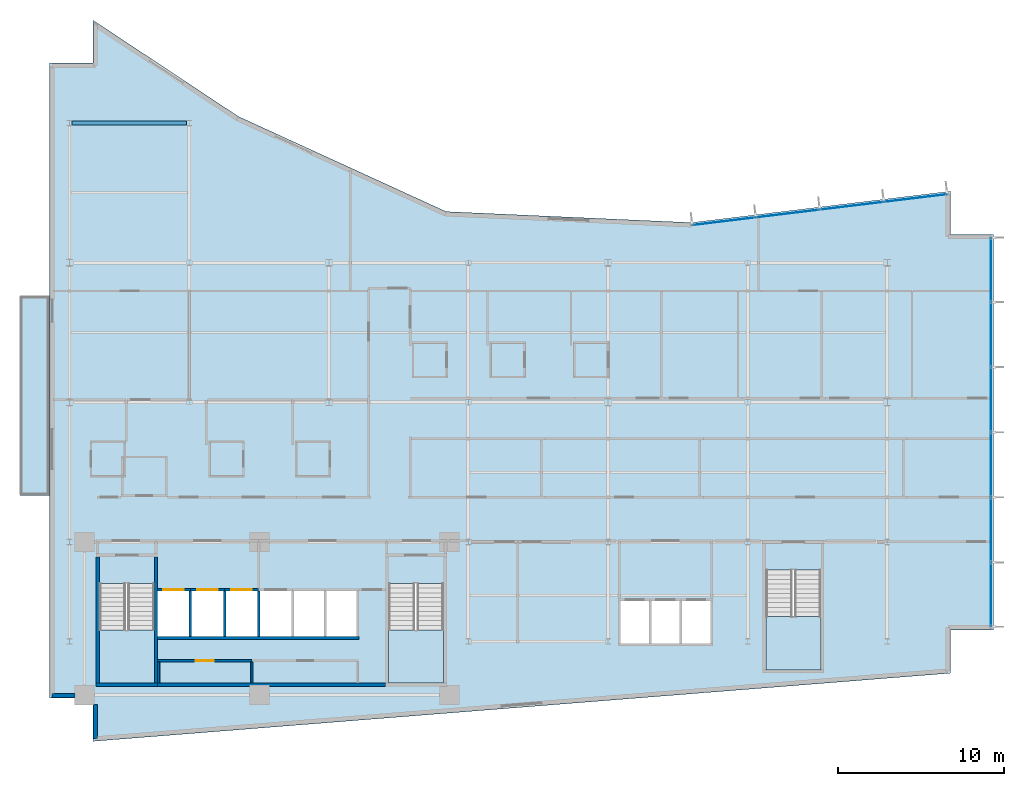
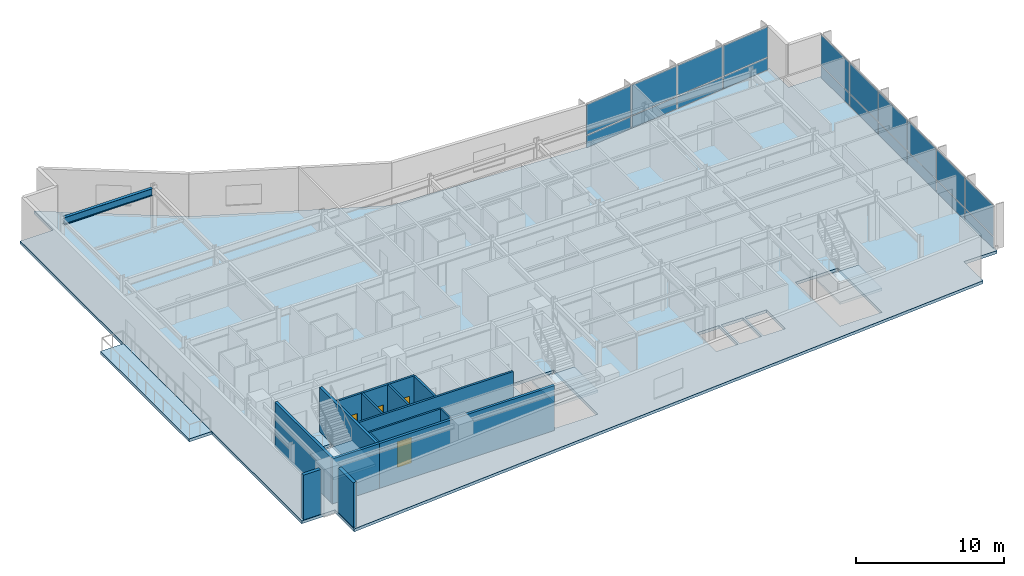
# One storey, part 9 of 18: 20 plates, 16 walls, 5 slabs, 4 doors, 1 beam, 4 openings, 5 elements without a shape of their own.
"""IFC4 building model written with IfcOpenShell, lengths in metres."""

from ifc_helpers import new_model, si_unit, direction, frame, frame_2d, origin, origin_2d, place, context, subcontext, project, spatial, polyline, rectangle, i_section, outline, extrude, material, layer, layer_set, material_profile, profile_set, type_object, element, fill, aggregate, save


model = new_model("IFC4")

# Units and contexts
model_context = context("Model", 3, precision=1e-05, world=origin(), true_north=direction((0.0, 1.0)))
body_context = subcontext(model_context, "Body", "Model", "MODEL_VIEW")
ifc_project = project(units=[si_unit("LENGTHUNIT", "METRE"), si_unit("AREAUNIT", "SQUARE_METRE"), si_unit("VOLUMEUNIT", "CUBIC_METRE"), si_unit("PLANEANGLEUNIT", "RADIAN"), si_unit("MASSUNIT", "GRAM", prefix="KILO")], contexts=[model_context])

# Site, building, storey
site_placement = place(None, origin())
site = spatial("IfcSite", under=ifc_project, at=site_placement, CompositionType="ELEMENT")
building_placement = place(site_placement, origin())
building = spatial("IfcBuilding", under=site, at=building_placement, Name="Varnakote Quay Hospital", CompositionType="ELEMENT")
storey_placement = place(building_placement, frame((0.0, 0.0, 119.14990234375)))
storey = spatial("IfcBuildingStorey", under=building, at=storey_placement, Name="L29", CompositionType="ELEMENT", Elevation=119.14990234375)

# Beam
ifc_material_1 = material(Name="Structural steel AS/NZS 3679.1 Grade 350 L0 (fy 340 MPa)", Category="steel")
ifc_material_profile = material_profile(ifc_material_1, i_section(OverallWidth=0.22802734375, OverallDepth=0.60205078125, WebThickness=0.010498046875, FlangeThickness=0.014892578125, FilletRadius=0.013916015625, at=origin_2d()), Name="610UB101")
ifc_profile_set = profile_set([ifc_material_profile], Name="Structural steel AS/NZS 3679.1 Grade 350 L0 (fy 340 MPa)")
beam_type = type_object("IfcBeamType", Name="BM-STL-610UB101", PredefinedType="BEAM", material=ifc_profile_set)
beam_placement = place(storey_placement, frame((1.3544921875, 37.199951171875, 3.4091796875), z_axis=(1.0, 0.0, 0.0), x_axis=(0.0, 1.0, 0.0)))
element("IfcBeam", 1, at=beam_placement, inside=storey, type_object=beam_type, Name="L29 Primary Floor Beam", PredefinedType="BEAM", context=body_context, shape_type="SweptSolid", body=[
    extrude(i_section(OverallWidth=0.22802734375, OverallDepth=0.60205078125, WebThickness=0.010498046875, FlangeThickness=0.014892578125, FilletRadius=0.013916015625, at=origin_2d()), origin(), (0.0, 0.0, 1.0), 6.89111328125),
])

# Curtain wall, plates
ifc_material_2 = material(Name="Anodised aluminium 6063-T6 Bronze", Category="aluminium")
ifc_layer_1 = layer(ifc_material_2, 0.205078125)
ifc_layer_set_1 = layer_set([ifc_layer_1], Name="Anodised aluminium 6063-T6 Bronze")
curtain_wall_type = type_object("IfcCurtainWallType", Name="CW-SYS-3", PredefinedType="NOTDEFINED", material=ifc_layer_set_1)
curtain_wall_1_placement = place(storey_placement, origin())
curtain_wall_1 = element("IfcCurtainWall", 2, at=curtain_wall_1_placement, inside=storey, type_object=curtain_wall_type, Name="L29 Unitised Bronze Curtain Wall 1", PredefinedType="NOTDEFINED")
ifc_material_3 = material(Name="Double-glazed low-E solar glass", Category="glass")
ifc_layer_2 = layer(ifc_material_3, 0.028076171875)
ifc_layer_set_2 = layer_set([ifc_layer_2], Name="Double-glazed low-E solar glass")
plate_type = type_object("IfcPlateType", Name="CW-PNL-GLZ-28", PredefinedType="CURTAIN_PANEL", material=ifc_layer_set_2)
plate_1_placement = place(storey_placement, frame((56.639892578125, 8.83544921875, 0.0751953125), z_axis=(0.0, 0.0, 1.0), x_axis=(0.0, 1.0, 0.0)))
plate_1 = element("IfcPlate", 3, at=plate_1_placement, type_object=plate_type, Name="-3-L29-1 panel 1.1", PredefinedType="CURTAIN_PANEL", context=body_context, shape_type="SweptSolid", body=[
    extrude(rectangle(XDim=3.80078125, YDim=0.028076171875, at=origin_2d()), origin(), (0.0, 0.0, 1.0), 0.987548828125),
])
plate_2_placement = place(storey_placement, frame((56.639892578125, 8.83544921875, 1.137451171875), z_axis=(0.0, 0.0, 1.0), x_axis=(0.0, 1.0, 0.0)))
plate_2 = element("IfcPlate", 4, at=plate_2_placement, type_object=plate_type, Name="-3-L29-1 panel 1.2", PredefinedType="CURTAIN_PANEL", context=body_context, shape_type="SweptSolid", body=[
    extrude(rectangle(XDim=3.80078125, YDim=0.028076171875, at=origin_2d()), origin(), (0.0, 0.0, 1.0), 2.49755859375),
])
plate_3_placement = place(storey_placement, frame((56.639892578125, 12.72998046875, 0.0751953125), z_axis=(0.0, 0.0, 1.0), x_axis=(0.0, 1.0, 0.0)))
plate_3 = element("IfcPlate", 5, at=plate_3_placement, type_object=plate_type, Name="-3-L29-1 panel 2.1", PredefinedType="CURTAIN_PANEL", context=body_context, shape_type="SweptSolid", body=[
    extrude(rectangle(XDim=3.83837890625, YDim=0.028076171875, at=origin_2d()), origin(), (0.0, 0.0, 1.0), 0.987548828125),
])
plate_4_placement = place(storey_placement, frame((56.639892578125, 12.72998046875, 1.137451171875), z_axis=(0.0, 0.0, 1.0), x_axis=(0.0, 1.0, 0.0)))
plate_4 = element("IfcPlate", 6, at=plate_4_placement, type_object=plate_type, Name="-3-L29-1 panel 2.2", PredefinedType="CURTAIN_PANEL", context=body_context, shape_type="SweptSolid", body=[
    extrude(rectangle(XDim=3.83837890625, YDim=0.028076171875, at=origin_2d()), origin(), (0.0, 0.0, 1.0), 2.49755859375),
])
plate_5_placement = place(storey_placement, frame((56.639892578125, 16.643310546875, 0.0751953125), z_axis=(0.0, 0.0, 1.0), x_axis=(0.0, 1.0, 0.0)))
plate_5 = element("IfcPlate", 7, at=plate_5_placement, type_object=plate_type, Name="-3-L29-1 panel 3.1", PredefinedType="CURTAIN_PANEL", context=body_context, shape_type="SweptSolid", body=[
    extrude(rectangle(XDim=3.83837890625, YDim=0.028076171875, at=origin_2d()), origin(), (0.0, 0.0, 1.0), 0.987548828125),
])
plate_6_placement = place(storey_placement, frame((56.639892578125, 16.643310546875, 1.137451171875), z_axis=(0.0, 0.0, 1.0), x_axis=(0.0, 1.0, 0.0)))
plate_6 = element("IfcPlate", 8, at=plate_6_placement, type_object=plate_type, Name="-3-L29-1 panel 3.2", PredefinedType="CURTAIN_PANEL", context=body_context, shape_type="SweptSolid", body=[
    extrude(rectangle(XDim=3.83837890625, YDim=0.028076171875, at=origin_2d()), origin(), (0.0, 0.0, 1.0), 2.49755859375),
])
plate_7_placement = place(storey_placement, frame((56.639892578125, 20.556640625, 0.0751953125), z_axis=(0.0, 0.0, 1.0), x_axis=(0.0, 1.0, 0.0)))
plate_7 = element("IfcPlate", 9, at=plate_7_placement, type_object=plate_type, Name="-3-L29-1 panel 4.1", PredefinedType="CURTAIN_PANEL", context=body_context, shape_type="SweptSolid", body=[
    extrude(rectangle(XDim=3.83837890625, YDim=0.028076171875, at=origin_2d()), origin(), (0.0, 0.0, 1.0), 0.987548828125),
])
plate_8_placement = place(storey_placement, frame((56.639892578125, 20.556640625, 1.137451171875), z_axis=(0.0, 0.0, 1.0), x_axis=(0.0, 1.0, 0.0)))
plate_8 = element("IfcPlate", 10, at=plate_8_placement, type_object=plate_type, Name="-3-L29-1 panel 4.2", PredefinedType="CURTAIN_PANEL", context=body_context, shape_type="SweptSolid", body=[
    extrude(rectangle(XDim=3.83837890625, YDim=0.028076171875, at=origin_2d()), origin(), (0.0, 0.0, 1.0), 2.49755859375),
])
plate_9_placement = place(storey_placement, frame((56.639892578125, 24.469970703125, 0.0751953125), z_axis=(0.0, 0.0, 1.0), x_axis=(0.0, 1.0, 0.0)))
plate_9 = element("IfcPlate", 11, at=plate_9_placement, type_object=plate_type, Name="-3-L29-1 panel 5.1", PredefinedType="CURTAIN_PANEL", context=body_context, shape_type="SweptSolid", body=[
    extrude(rectangle(XDim=3.83837890625, YDim=0.028076171875, at=origin_2d()), origin(), (0.0, 0.0, 1.0), 0.987548828125),
])
plate_10_placement = place(storey_placement, frame((56.639892578125, 24.469970703125, 1.137451171875), z_axis=(0.0, 0.0, 1.0), x_axis=(0.0, 1.0, 0.0)))
plate_10 = element("IfcPlate", 12, at=plate_10_placement, type_object=plate_type, Name="-3-L29-1 panel 5.2", PredefinedType="CURTAIN_PANEL", context=body_context, shape_type="SweptSolid", body=[
    extrude(rectangle(XDim=3.83837890625, YDim=0.028076171875, at=origin_2d()), origin(), (0.0, 0.0, 1.0), 2.49755859375),
])
plate_11_placement = place(storey_placement, frame((56.639892578125, 28.364501953125, 0.0751953125), z_axis=(0.0, 0.0, 1.0), x_axis=(0.0, 1.0, 0.0)))
plate_11 = element("IfcPlate", 13, at=plate_11_placement, type_object=plate_type, Name="-3-L29-1 panel 6.1", PredefinedType="CURTAIN_PANEL", context=body_context, shape_type="SweptSolid", body=[
    extrude(rectangle(XDim=3.80078125, YDim=0.028076171875, at=origin_2d()), origin(), (0.0, 0.0, 1.0), 0.987548828125),
])
plate_12_placement = place(storey_placement, frame((56.639892578125, 28.364501953125, 1.137451171875), z_axis=(0.0, 0.0, 1.0), x_axis=(0.0, 1.0, 0.0)))
plate_12 = element("IfcPlate", 14, at=plate_12_placement, type_object=plate_type, Name="-3-L29-1 panel 6.2", PredefinedType="CURTAIN_PANEL", context=body_context, shape_type="SweptSolid", body=[
    extrude(rectangle(XDim=3.80078125, YDim=0.028076171875, at=origin_2d()), origin(), (0.0, 0.0, 1.0), 2.49755859375),
])
aggregate(curtain_wall_1, [plate_1, plate_2, plate_3, plate_4, plate_5, plate_6, plate_7, plate_8, plate_9, plate_10, plate_11, plate_12])

curtain_wall_2_placement = place(storey_placement, origin())
curtain_wall_2 = element("IfcCurtainWall", 15, at=curtain_wall_2_placement, inside=storey, type_object=curtain_wall_type, Name="L29 Unitised Bronze Curtain Wall 2", PredefinedType="NOTDEFINED")
plate_13_placement = place(storey_placement, frame((52.09521484375, 32.68359375, 0.0751953125), z_axis=(0.0, 0.0, 1.0), x_axis=(-0.992734295067, -0.12032713492, 0.0)))
plate_13 = element("IfcPlate", 16, at=plate_13_placement, type_object=plate_type, Name="-3-L29-2 panel 1.1", PredefinedType="CURTAIN_PANEL", context=body_context, shape_type="SweptSolid", body=[
    extrude(rectangle(XDim=3.76806640625, YDim=0.028076171875, at=origin_2d()), origin(), (0.0, 0.0, 1.0), 0.987548828125),
])
plate_14_placement = place(storey_placement, frame((52.09521484375, 32.68359375, 1.137451171875), z_axis=(0.0, 0.0, 1.0), x_axis=(-0.992734295067, -0.12032713492, 0.0)))
plate_14 = element("IfcPlate", 17, at=plate_14_placement, type_object=plate_type, Name="-3-L29-2 panel 1.2", PredefinedType="CURTAIN_PANEL", context=body_context, shape_type="SweptSolid", body=[
    extrude(rectangle(XDim=3.76806640625, YDim=0.028076171875, at=origin_2d()), origin(), (0.0, 0.0, 1.0), 2.49755859375),
])
plate_15_placement = place(storey_placement, frame((48.26123046875, 32.218994140625, 0.0751953125), z_axis=(0.0, 0.0, 1.0), x_axis=(-0.992734295067, -0.12032713492, 0.0)))
plate_15 = element("IfcPlate", 18, at=plate_15_placement, type_object=plate_type, Name="-3-L29-2 panel 2.1", PredefinedType="CURTAIN_PANEL", context=body_context, shape_type="SweptSolid", body=[
    extrude(rectangle(XDim=3.8056640625, YDim=0.028076171875, at=origin_2d()), origin(), (0.0, 0.0, 1.0), 0.987548828125),
])
plate_16_placement = place(storey_placement, frame((48.26123046875, 32.218994140625, 1.137451171875), z_axis=(0.0, 0.0, 1.0), x_axis=(-0.992734295067, -0.12032713492, 0.0)))
plate_16 = element("IfcPlate", 19, at=plate_16_placement, type_object=plate_type, Name="-3-L29-2 panel 2.2", PredefinedType="CURTAIN_PANEL", context=body_context, shape_type="SweptSolid", body=[
    extrude(rectangle(XDim=3.8056640625, YDim=0.028076171875, at=origin_2d()), origin(), (0.0, 0.0, 1.0), 2.49755859375),
])
plate_17_placement = place(storey_placement, frame((44.40869140625, 31.751953125, 0.0751953125), z_axis=(0.0, 0.0, 1.0), x_axis=(-0.992734295067, -0.12032713492, 0.0)))
plate_17 = element("IfcPlate", 20, at=plate_17_placement, type_object=plate_type, Name="-3-L29-2 panel 3.1", PredefinedType="CURTAIN_PANEL", context=body_context, shape_type="SweptSolid", body=[
    extrude(rectangle(XDim=3.8056640625, YDim=0.028076171875, at=origin_2d()), origin(), (0.0, 0.0, 1.0), 0.987548828125),
])
plate_18_placement = place(storey_placement, frame((44.40869140625, 31.751953125, 1.137451171875), z_axis=(0.0, 0.0, 1.0), x_axis=(-0.992734295067, -0.12032713492, 0.0)))
plate_18 = element("IfcPlate", 21, at=plate_18_placement, type_object=plate_type, Name="-3-L29-2 panel 3.2", PredefinedType="CURTAIN_PANEL", context=body_context, shape_type="SweptSolid", body=[
    extrude(rectangle(XDim=3.8056640625, YDim=0.028076171875, at=origin_2d()), origin(), (0.0, 0.0, 1.0), 2.49755859375),
])
plate_19_placement = place(storey_placement, frame((40.574951171875, 31.287353515625, 0.0751953125), z_axis=(0.0, 0.0, 1.0), x_axis=(-0.992734295067, -0.12032713492, 0.0)))
plate_19 = element("IfcPlate", 22, at=plate_19_placement, type_object=plate_type, Name="-3-L29-2 panel 4.1", PredefinedType="CURTAIN_PANEL", context=body_context, shape_type="SweptSolid", body=[
    extrude(rectangle(XDim=3.76806640625, YDim=0.028076171875, at=origin_2d()), origin(), (0.0, 0.0, 1.0), 0.987548828125),
])
plate_20_placement = place(storey_placement, frame((40.574951171875, 31.287353515625, 1.137451171875), z_axis=(0.0, 0.0, 1.0), x_axis=(-0.992734295067, -0.12032713492, 0.0)))
plate_20 = element("IfcPlate", 23, at=plate_20_placement, type_object=plate_type, Name="-3-L29-2 panel 4.2", PredefinedType="CURTAIN_PANEL", context=body_context, shape_type="SweptSolid", body=[
    extrude(rectangle(XDim=3.76806640625, YDim=0.028076171875, at=origin_2d()), origin(), (0.0, 0.0, 1.0), 2.49755859375),
])
aggregate(curtain_wall_2, [plate_13, plate_14, plate_15, plate_16, plate_17, plate_18, plate_19, plate_20])

# Stair, slab
ifc_material_4 = material(Name="Concrete N40 (f'c 40 MPa)", Category="concrete")
stair_type = type_object("IfcStairType", Name="STR-CORE-1580", PredefinedType="HALF_TURN_STAIR", material=ifc_material_4)
stair_1_placement = place(storey_placement, origin())
stair_1 = element("IfcStair", 24, at=stair_1_placement, inside=storey, type_object=stair_type, Name="L29 Fire-Isolated Exit Stair ST-01", PredefinedType="HALF_TURN_STAIR")
ifc_material_5 = material(Name="Concrete N40 (f'c 40 MPa)", Category="concrete")
ifc_layer_3 = layer(ifc_material_5, 0.199951171875)
ifc_layer_set_3 = layer_set([ifc_layer_3], Name="Concrete N40 (f'c 40 MPa)")
slab_type_1 = type_object("IfcSlabType", Name="SLB-STAIR-LND-200", PredefinedType="LANDING", material=ifc_layer_set_3)
slab_1_placement = place(storey_placement, frame((0.0, 0.0, 1.775146484375)))
slab_1 = element("IfcSlab", 25, at=slab_1_placement, type_object=slab_type_1, Name="ST-01 landing 1", PredefinedType="LANDING", context=body_context, shape_type="SweptSolid", body=[
    extrude(outline(polyline([(3.0, 6.699951171875), (3.0, 3.5), (6.300048828125, 3.5), (6.300048828125, 6.699951171875), (3.0, 6.699951171875)])), origin(), (0.0, 0.0, 1.0), 0.199951171875),
])
aggregate(stair_1, [slab_1])

stair_2_placement = place(storey_placement, origin())
stair_2 = element("IfcStair", 26, at=stair_2_placement, inside=storey, type_object=stair_type, Name="L29 Fire-Isolated Exit Stair ST-02", PredefinedType="HALF_TURN_STAIR")
slab_2_placement = place(storey_placement, frame((0.0, 0.0, 1.775146484375)))
slab_2 = element("IfcSlab", 27, at=slab_2_placement, type_object=slab_type_1, Name="ST-02 landing 1", PredefinedType="LANDING", context=body_context, shape_type="SweptSolid", body=[
    extrude(outline(polyline([(20.39990234375, 6.699951171875), (20.39990234375, 3.5), (23.699951171875, 3.5), (23.699951171875, 6.699951171875), (20.39990234375, 6.699951171875)])), origin(), (0.0, 0.0, 1.0), 0.199951171875),
])
aggregate(stair_2, [slab_2])

stair_3_placement = place(storey_placement, origin())
stair_3 = element("IfcStair", 28, at=stair_3_placement, inside=storey, type_object=stair_type, Name="L29 Fire-Isolated Exit Stair ST-03", PredefinedType="HALF_TURN_STAIR")
slab_3_placement = place(storey_placement, frame((0.0, 0.0, 1.775146484375)))
slab_3 = element("IfcSlab", 29, at=slab_3_placement, type_object=slab_type_1, Name="ST-03 landing 1", PredefinedType="LANDING", context=body_context, shape_type="SweptSolid", body=[
    extrude(outline(polyline([(43.10009765625, 7.5), (43.10009765625, 4.300048828125), (46.39990234375, 4.300048828125), (46.39990234375, 7.5), (43.10009765625, 7.5)])), origin(), (0.0, 0.0, 1.0), 0.199951171875),
])
aggregate(stair_3, [slab_3])

# Slabs
ifc_material_6 = material(Name="Concrete N50 (f'c 50 MPa)", Category="concrete")
ifc_layer_4 = layer(ifc_material_6, 0.239990234375)
ifc_layer_set_4 = layer_set([ifc_layer_4], Name="Concrete N50 (f'c 50 MPa)")
slab_type_2 = type_object("IfcSlabType", Name="SLB-TERR-200", PredefinedType="FLOOR", material=ifc_layer_set_4)
slab_4_placement = place(storey_placement, frame((0.0, 0.0, -0.239990234375)))
element("IfcSlab", 30, at=slab_4_placement, inside=storey, type_object=slab_type_2, Name="L29 Waterfront Healing Terrace Slab", PredefinedType="FLOOR", context=body_context, shape_type="SweptSolid", body=[
    extrude(outline(polyline([(0.00390625, 14.800048828125), (0.00390625, 26.800048828125), (-1.780029296875, 26.800048828125), (-1.780029296875, 14.800048828125), (0.00390625, 14.800048828125)])), origin(), (0.0, 0.0, 1.0), 0.239990234375),
])
ifc_material_7 = material(Name="Concrete N50 (f'c 50 MPa)", Category="concrete")
ifc_layer_5 = layer(ifc_material_7, 0.239990234375)
ifc_layer_set_5 = layer_set([ifc_layer_5], Name="Concrete N50 (f'c 50 MPa)")
slab_type_3 = type_object("IfcSlabType", Name="SLB-WARD-200", PredefinedType="FLOOR", material=ifc_layer_set_5)
slab_5_placement = place(storey_placement, frame((0.0, 0.0, -0.239990234375)))
element("IfcSlab", 31, at=slab_5_placement, inside=storey, type_object=slab_type_3, Name="L29 Primary Floor Slab", PredefinedType="FLOOR", context=body_context, shape_type="SweptSolid", body=[
    extrude(outline(polyline([(0.0, 2.60009765625), (2.60009765625, 2.60009765625), (2.60009765625, 0.0), (54.199951171875, 4.10009765625), (54.199951171875, 6.699951171875), (56.800048828125, 6.699951171875), (56.800048828125, 30.5), (54.199951171875, 30.5), (54.199951171875, 33.10009765625), (38.6240234375, 31.2119140625), (23.85595703125, 31.8740234375), (11.360107421875, 37.595947265625), (2.60009765625, 43.39990234375), (2.60009765625, 40.800048828125), (0.0, 40.800048828125), (0.0, 2.60009765625)]), holes=[polyline([(3.0, 3.5), (6.300048828125, 3.5), (6.300048828125, 9.49951171875), (3.0, 9.49951171875), (3.0, 3.5)]), polyline([(20.39990234375, 3.5), (23.699951171875, 3.5), (23.699951171875, 9.49951171875), (20.39990234375, 9.49951171875), (20.39990234375, 3.5)]), polyline([(43.10009765625, 4.300048828125), (46.39990234375, 4.300048828125), (46.39990234375, 10.29931640625), (43.10009765625, 10.29931640625), (43.10009765625, 4.300048828125)]), polyline([(6.5, 6.300048828125), (8.39990234375, 6.300048828125), (8.39990234375, 9.050048828125), (6.5, 9.050048828125), (6.5, 6.300048828125)]), polyline([(8.550048828125, 6.300048828125), (10.449951171875, 6.300048828125), (10.449951171875, 9.050048828125), (8.550048828125, 9.050048828125), (8.550048828125, 6.300048828125)]), polyline([(10.60009765625, 6.300048828125), (12.5, 6.300048828125), (12.5, 9.050048828125), (10.60009765625, 9.050048828125), (10.60009765625, 6.300048828125)]), polyline([(12.64990234375, 6.300048828125), (14.550048828125, 6.300048828125), (14.550048828125, 9.050048828125), (12.64990234375, 9.050048828125), (12.64990234375, 6.300048828125)]), polyline([(14.699951171875, 6.300048828125), (16.5, 6.300048828125), (16.5, 9.050048828125), (14.699951171875, 9.050048828125), (14.699951171875, 6.300048828125)]), polyline([(16.64990234375, 6.300048828125), (18.449951171875, 6.300048828125), (18.449951171875, 9.050048828125), (16.64990234375, 9.050048828125), (16.64990234375, 6.300048828125)]), polyline([(34.35009765625, 5.89990234375), (36.050048828125, 5.89990234375), (36.050048828125, 8.449951171875), (34.35009765625, 8.449951171875), (34.35009765625, 5.89990234375)]), polyline([(36.199951171875, 5.89990234375), (37.89990234375, 5.89990234375), (37.89990234375, 8.449951171875), (36.199951171875, 8.449951171875), (36.199951171875, 5.89990234375)]), polyline([(38.050048828125, 5.89990234375), (39.75, 5.89990234375), (39.75, 8.449951171875), (38.050048828125, 8.449951171875), (38.050048828125, 5.89990234375)])]), origin(), (0.0, 0.0, 1.0), 0.239990234375),
])

# Walls
ifc_material_8 = material(Name="Concrete N65 (f'c 65 MPa)", Category="concrete")
ifc_layer_6 = layer(ifc_material_8, 0.199951171875)
ifc_layer_set_6 = layer_set([ifc_layer_6], Name="Concrete N65 (f'c 65 MPa)")
wall_type_1 = type_object("IfcWallType", Name="WL-CORE-N65-200", PredefinedType="SHEAR", material=ifc_layer_set_6)
wall_1_placement = place(storey_placement, frame((6.5, 3.39990234375, 0.0), z_axis=(0.0, 0.0, 1.0), x_axis=(1.0, 0.0, 0.0)))
element("IfcWall", 32, at=wall_1_placement, inside=storey, type_object=wall_type_1, Name="L29 Rear Core South Shear Wall", PredefinedType="SHEAR", context=body_context, shape_type="SweptSolid", body=[
    extrude(rectangle(XDim=13.699951171875, YDim=0.199951171875, at=frame_2d((6.85009765625, 0.0))), origin(), (0.0, 0.0, 1.0), 3.710205078125),
])
ifc_material_9 = material(Name="Precast concrete N50 (f'c 50 MPa)", Category="concrete")
ifc_layer_7 = layer(ifc_material_9, 0.260009765625)
ifc_layer_set_7 = layer_set([ifc_layer_7], Name="Precast concrete N50 (f'c 50 MPa)")
wall_type_2 = type_object("IfcWallType", Name="WL-EXT-BRICK-260", PredefinedType="STANDARD", material=ifc_layer_set_7)
wall_2_placement = place(storey_placement, frame((2.760009765625, 2.215087890625, 0.0), z_axis=(0.0, 0.0, 1.0), x_axis=(0.0, -1.0, 0.0)))
element("IfcWall", 33, at=wall_2_placement, inside=storey, type_object=wall_type_2, Name="L29 Brick-Faced Precast Exterior Wall", PredefinedType="STANDARD", context=body_context, shape_type="SweptSolid", body=[
    extrude(rectangle(XDim=2.0419921875, YDim=0.260009765625, at=frame_2d((1.02099609375, 0.0))), origin(), (0.0, 0.0, 1.0), 3.710205078125),
])
wall_3_placement = place(storey_placement, frame((0.159912109375, 2.760009765625, 0.0), z_axis=(0.0, 0.0, 1.0), x_axis=(1.0, 0.0, 0.0)))
element("IfcWall", 34, at=wall_3_placement, inside=storey, type_object=wall_type_2, Name="L29 Brick-Faced Precast Exterior Wall", PredefinedType="STANDARD", context=body_context, shape_type="SweptSolid", body=[
    extrude(rectangle(XDim=1.35498046875, YDim=0.260009765625, at=frame_2d((0.677490234375, 0.0))), origin(), (0.0, 0.0, 1.0), 3.710205078125),
])
ifc_material_10 = material(Name="Concrete N50 (f'c 50 MPa)", Category="concrete")
ifc_layer_8 = layer(ifc_material_10, 0.14990234375)
ifc_layer_set_8 = layer_set([ifc_layer_8], Name="Concrete N50 (f'c 50 MPa)")
wall_type_3 = type_object("IfcWallType", Name="WL-SHAFT-N50-150", PredefinedType="SHEAR", material=ifc_layer_set_8)
for number, where, z_axis, x_axis, name in (
    (35, (8.47509765625, 6.300048828125, 0.0), (0.0, 0.0, 1.0), (0.0, 1.0, 0.0), "L29 LF-FF1 Hoistway Divider Wall"),
    (36, (10.52490234375, 6.300048828125, 0.0), (0.0, 0.0, 1.0), (0.0, 1.0, 0.0), "L29 LF-FF2 Hoistway Divider Wall"),
    (37, (12.574951171875, 6.300048828125, 0.0), (0.0, 0.0, 1.0), (0.0, 1.0, 0.0), "L29 LF-SV1 Hoistway Divider Wall"),
):
    element("IfcWall", number, at=place(storey_placement, frame(where, z_axis=z_axis, x_axis=x_axis)), inside=storey, type_object=wall_type_3, Name=name, PredefinedType="SHEAR", context=body_context, shape_type="SweptSolid", body=[
        extrude(rectangle(XDim=2.75, YDim=0.14990234375, at=frame_2d((1.375, 0.0))), origin(), (0.0, 0.0, 1.0), 3.710205078125),
    ])
ifc_material_11 = material(Name="Concrete N50 (f'c 50 MPa)", Category="concrete")
ifc_layer_9 = layer(ifc_material_11, 0.159912109375)
ifc_layer_set_9 = layer_set([ifc_layer_9], Name="Concrete N50 (f'c 50 MPa)")
wall_type_4 = type_object("IfcWallType", Name="WL-SHAFT-N50-160", PredefinedType="SHEAR", material=ifc_layer_set_9)
wall_4_placement = place(storey_placement, frame((6.5, 6.219970703125, 0.0), z_axis=(0.0, 0.0, 1.0), x_axis=(1.0, 0.0, 0.0)))
element("IfcWall", 38, at=wall_4_placement, inside=storey, type_object=wall_type_4, Name="L29 REAR Lift Bank Back Shear Wall", PredefinedType="SHEAR", context=body_context, shape_type="SweptSolid", body=[
    extrude(rectangle(XDim=12.110107421875, YDim=0.159912109375, at=frame_2d((6.05517578125, 0.0))), origin(), (0.0, 0.0, 1.0), 3.710205078125),
])

# Wall, opening, door
wall_5_placement = place(storey_placement, frame((6.5, 9.1298828125, 0.0), z_axis=(0.0, 0.0, 1.0), x_axis=(1.0, 0.0, 0.0)))
wall_5 = element("IfcWall", 39, at=wall_5_placement, inside=storey, type_object=wall_type_4, Name="L29 LF-FF1 Hoistway Front Wall", PredefinedType="SHEAR", context=body_context, shape_type="SweptSolid", body=[
    extrude(rectangle(XDim=1.97509765625, YDim=0.159912109375, at=frame_2d((0.987548828125, 0.0))), origin(), (0.0, 0.0, 1.0), 3.710205078125),
])
opening_1_placement = place(wall_5_placement, frame((0.324951171875, 0.0, 0.0)))
opening_1 = element("IfcOpeningElement", 40, at=opening_1_placement, cuts=wall_5, Name="Opening LD-FF1-L29", PredefinedType="OPENING", context=body_context, shape_type="SweptSolid", body=[
    extrude(rectangle(XDim=1.25, YDim=2.14990234375, at=frame_2d((0.625, 1.074951171875))), frame((0.0, 0.08984375, 0.0), z_axis=(0.0, -1.0, 0.0), x_axis=(1.0, 0.0, 0.0)), (0.0, 0.0, 1.0), 0.179931640625),
])
ifc_material_12 = material(Name="Stainless steel lift landing sliding door", Category="steel")
door_type_1 = type_object("IfcDoorType", Name="DR-LIFT-LD-1250x2150", OperationType="NOTDEFINED", PredefinedType="DOOR", material=ifc_material_12)
door_1_placement = place(opening_1_placement, origin())
door_1 = element("IfcDoor", 41, at=door_1_placement, inside=storey, type_object=door_type_1, Name="L29 LF-FF1 Lift Landing Sliding Door", OperationType="SLIDING_TO_LEFT", OverallHeight=2.14990234375, OverallWidth=1.25, PredefinedType="DOOR", context=body_context, shape_type="SweptSolid", body=[
    extrude(rectangle(XDim=1.25, YDim=2.14990234375, at=frame_2d((0.625, 1.074951171875))), frame((0.0, 0.02490234375, 0.0), z_axis=(0.0, -1.0, 0.0), x_axis=(1.0, 0.0, 0.0)), (0.0, 0.0, 1.0), 0.050048828125),
])
fill(opening_1, door_1)

wall_6_placement = place(storey_placement, frame((8.47509765625, 9.1298828125, 0.0), z_axis=(0.0, 0.0, 1.0), x_axis=(1.0, 0.0, 0.0)))
wall_6 = element("IfcWall", 42, at=wall_6_placement, inside=storey, type_object=wall_type_4, Name="L29 LF-FF2 Hoistway Front Wall", PredefinedType="SHEAR", context=body_context, shape_type="SweptSolid", body=[
    extrude(rectangle(XDim=2.0498046875, YDim=0.159912109375, at=frame_2d((1.02490234375, 0.0))), origin(), (0.0, 0.0, 1.0), 3.710205078125),
])
opening_2_placement = place(wall_6_placement, frame((0.39990234375, 0.0, 0.0)))
opening_2 = element("IfcOpeningElement", 43, at=opening_2_placement, cuts=wall_6, Name="Opening LD-FF2-L29", PredefinedType="OPENING", context=body_context, shape_type="SweptSolid", body=[
    extrude(rectangle(XDim=1.25, YDim=2.14990234375, at=frame_2d((0.625, 1.074951171875))), frame((0.0, 0.08984375, 0.0), z_axis=(0.0, -1.0, 0.0), x_axis=(1.0, 0.0, 0.0)), (0.0, 0.0, 1.0), 0.179931640625),
])
door_2_placement = place(opening_2_placement, origin())
door_2 = element("IfcDoor", 44, at=door_2_placement, inside=storey, type_object=door_type_1, Name="L29 LF-FF2 Lift Landing Sliding Door", OperationType="SLIDING_TO_LEFT", OverallHeight=2.14990234375, OverallWidth=1.25, PredefinedType="DOOR", context=body_context, shape_type="SweptSolid", body=[
    extrude(rectangle(XDim=1.25, YDim=2.14990234375, at=frame_2d((0.625, 1.074951171875))), frame((0.0, 0.02490234375, 0.0), z_axis=(0.0, -1.0, 0.0), x_axis=(1.0, 0.0, 0.0)), (0.0, 0.0, 1.0), 0.050048828125),
])
fill(opening_2, door_2)

wall_7_placement = place(storey_placement, frame((10.52490234375, 9.1298828125, 0.0), z_axis=(0.0, 0.0, 1.0), x_axis=(1.0, 0.0, 0.0)))
wall_7 = element("IfcWall", 45, at=wall_7_placement, inside=storey, type_object=wall_type_4, Name="L29 LF-SV1 Hoistway Front Wall", PredefinedType="SHEAR", context=body_context, shape_type="SweptSolid", body=[
    extrude(rectangle(XDim=2.050048828125, YDim=0.159912109375, at=frame_2d((1.02490234375, 0.0))), origin(), (0.0, 0.0, 1.0), 3.710205078125),
])
opening_3_placement = place(wall_7_placement, frame((0.39990234375, 0.0, 0.0)))
opening_3 = element("IfcOpeningElement", 46, at=opening_3_placement, cuts=wall_7, Name="Opening LD-SV1-L29", PredefinedType="OPENING", context=body_context, shape_type="SweptSolid", body=[
    extrude(rectangle(XDim=1.25, YDim=2.14990234375, at=frame_2d((0.625, 1.074951171875))), frame((0.0, 0.08984375, 0.0), z_axis=(0.0, -1.0, 0.0), x_axis=(1.0, 0.0, 0.0)), (0.0, 0.0, 1.0), 0.179931640625),
])
door_3_placement = place(opening_3_placement, origin())
door_3 = element("IfcDoor", 47, at=door_3_placement, inside=storey, type_object=door_type_1, Name="L29 LF-SV1 Lift Landing Sliding Door", OperationType="SLIDING_TO_LEFT", OverallHeight=2.14990234375, OverallWidth=1.25, PredefinedType="DOOR", context=body_context, shape_type="SweptSolid", body=[
    extrude(rectangle(XDim=1.25, YDim=2.14990234375, at=frame_2d((0.625, 1.074951171875))), frame((0.0, 0.02490234375, 0.0), z_axis=(0.0, -1.0, 0.0), x_axis=(1.0, 0.0, 0.0)), (0.0, 0.0, 1.0), 0.050048828125),
])
fill(opening_3, door_3)

# Walls
ifc_material_13 = material(Name="Concrete N50 (f'c 50 MPa)", Category="concrete")
ifc_layer_10 = layer(ifc_material_13, 0.199951171875)
ifc_layer_set_10 = layer_set([ifc_layer_10], Name="Concrete N50 (f'c 50 MPa)")
wall_type_5 = type_object("IfcWallType", Name="WL-SHAFT-N50-200", PredefinedType="SHEAR", material=ifc_layer_set_10)
wall_8_placement = place(storey_placement, frame((2.800048828125, 3.39990234375, 0.0), z_axis=(0.0, 0.0, 1.0), x_axis=(1.0, 0.0, 0.0)))
element("IfcWall", 48, at=wall_8_placement, inside=storey, type_object=wall_type_5, Name="L29 Stair ST1 South Shaft Wall", PredefinedType="SHEAR", context=body_context, shape_type="SweptSolid", body=[
    extrude(rectangle(XDim=3.699951171875, YDim=0.199951171875, at=frame_2d((1.85009765625, 0.0))), origin(), (0.0, 0.0, 1.0), 3.710205078125),
])
for number, where, z_axis, x_axis, name in (
    (49, (2.89990234375, 3.5, 0.0), (0.0, 0.0, 1.0), (0.0, 1.0, 0.0), "L29 Stair ST1 West Shaft Wall"),
    (50, (6.39990234375, 3.5, 0.0), (0.0, 0.0, 1.0), (0.0, 1.0, 0.0), "L29 Stair ST1 East Shaft Wall"),
):
    element("IfcWall", number, at=place(storey_placement, frame(where, z_axis=z_axis, x_axis=x_axis)), inside=storey, type_object=wall_type_5, Name=name, PredefinedType="SHEAR", context=body_context, shape_type="SweptSolid", body=[
        extrude(rectangle(XDim=7.60009765625, YDim=0.199951171875, at=frame_2d((3.800048828125, 0.0))), origin(), (0.0, 0.0, 1.0), 3.710205078125),
    ])
ifc_material_14 = material(Name="Smoke-proof clinical partition", Category="gypsum")
ifc_layer_11 = layer(ifc_material_14, 0.1201171875)
ifc_layer_set_11 = layer_set([ifc_layer_11], Name="Smoke-proof clinical partition")
wall_type_6 = type_object("IfcWallType", Name="WL-SMOKE-120", PredefinedType="PARTITIONING", material=ifc_layer_set_11)
for number, where, z_axis, x_axis, name in (
    (51, (6.56005859375, 3.52001953125, 0.0), (0.0, 0.0, 1.0), (0.0, 1.0, 0.0), "L29 Core South Service West Wall"),
    (52, (12.169921875, 3.52001953125, 0.0), (0.0, 0.0, 1.0), (0.0, 1.0, 0.0), "L29 Core South Service Divider"),
):
    element("IfcWall", number, at=place(storey_placement, frame(where, z_axis=z_axis, x_axis=x_axis)), inside=storey, type_object=wall_type_6, Name=name, PredefinedType="PARTITIONING", context=body_context, shape_type="SweptSolid", body=[
        extrude(rectangle(XDim=1.260009765625, YDim=0.1201171875, at=frame_2d((0.6298828125, 0.0))), origin(), (0.0, 0.0, 1.0), 3.710205078125),
    ])

# Wall, opening, door
ifc_material_15 = material(Name="Fire-rated clinical gypsum partition", Category="gypsum")
ifc_layer_12 = layer(ifc_material_15, 0.139892578125)
ifc_layer_set_12 = layer_set([ifc_layer_12], Name="Fire-rated clinical gypsum partition")
wall_type_7 = type_object("IfcWallType", Name="WL-WARD-140", PredefinedType="PARTITIONING", material=ifc_layer_set_12)
wall_9_placement = place(storey_placement, frame((6.5, 4.85009765625, 0.0), z_axis=(0.0, 0.0, 1.0), x_axis=(1.0, 0.0, 0.0)))
wall_9 = element("IfcWall", 53, at=wall_9_placement, inside=storey, type_object=wall_type_7, Name="L29 Core Clean Linen Store North Wall", PredefinedType="PARTITIONING", context=body_context, shape_type="SweptSolid", body=[
    extrude(rectangle(XDim=5.669921875, YDim=0.139892578125, at=frame_2d((2.8349609375, 0.0))), origin(), (0.0, 0.0, 1.0), 3.710205078125),
])
opening_4_placement = place(wall_9_placement, frame((2.284912109375, 0.0, 0.0)))
opening_4 = element("IfcOpeningElement", 54, at=opening_4_placement, cuts=wall_9, Name="Opening D-L29-CR01", PredefinedType="OPENING", context=body_context, shape_type="SweptSolid", body=[
    extrude(rectangle(XDim=1.10009765625, YDim=2.10009765625, at=frame_2d((0.550048828125, 1.050048828125))), frame((0.0, 0.079833984375, 0.0), z_axis=(0.0, -1.0, 0.0), x_axis=(1.0, 0.0, 0.0)), (0.0, 0.0, 1.0), 0.159912109375),
])
ifc_material_16 = material(Name="Acoustic timber clinical consult door", Category="wood")
door_type_2 = type_object("IfcDoorType", Name="DR-CLIN-FD30S-1100x2100", OperationType="NOTDEFINED", PredefinedType="DOOR", material=ifc_material_16)
door_4_placement = place(opening_4_placement, origin())
door_4 = element("IfcDoor", 55, at=door_4_placement, inside=storey, type_object=door_type_2, Name="L29 Core Clean Linen Store Door", OperationType="SINGLE_SWING_RIGHT", OverallHeight=2.10009765625, OverallWidth=1.10009765625, PredefinedType="DOOR", context=body_context, shape_type="SweptSolid", body=[
    extrude(rectangle(XDim=1.10009765625, YDim=2.10009765625, at=frame_2d((0.550048828125, 1.050048828125))), frame((0.0, 0.02490234375, 0.0), z_axis=(0.0, -1.0, 0.0), x_axis=(1.0, 0.0, 0.0)), (0.0, 0.0, 1.0), 0.050048828125),
])
fill(opening_4, door_4)

save(model, "model.ifc")
